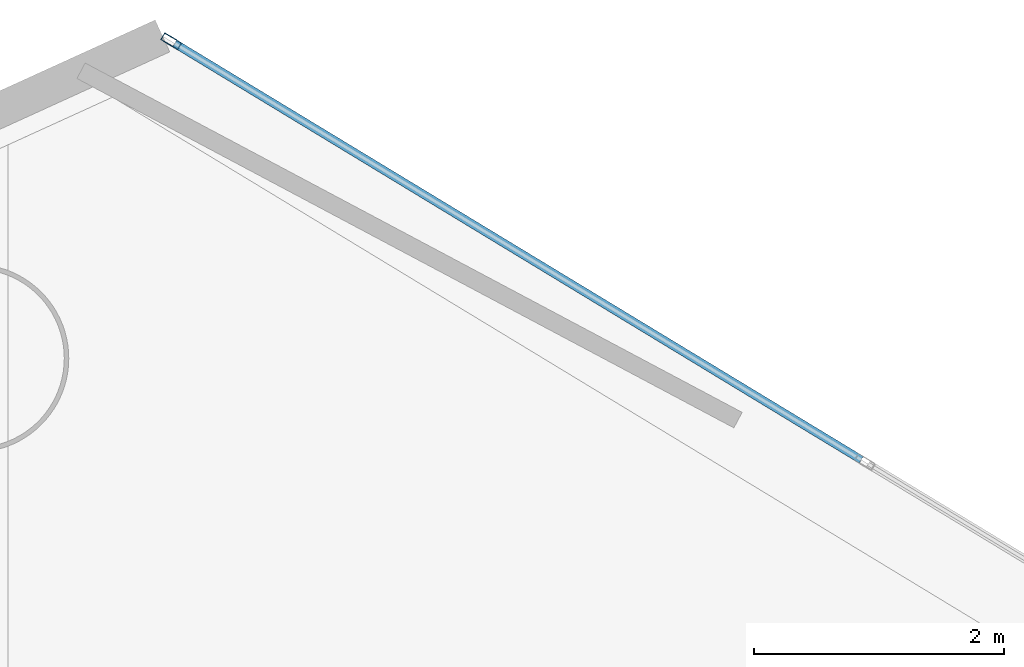
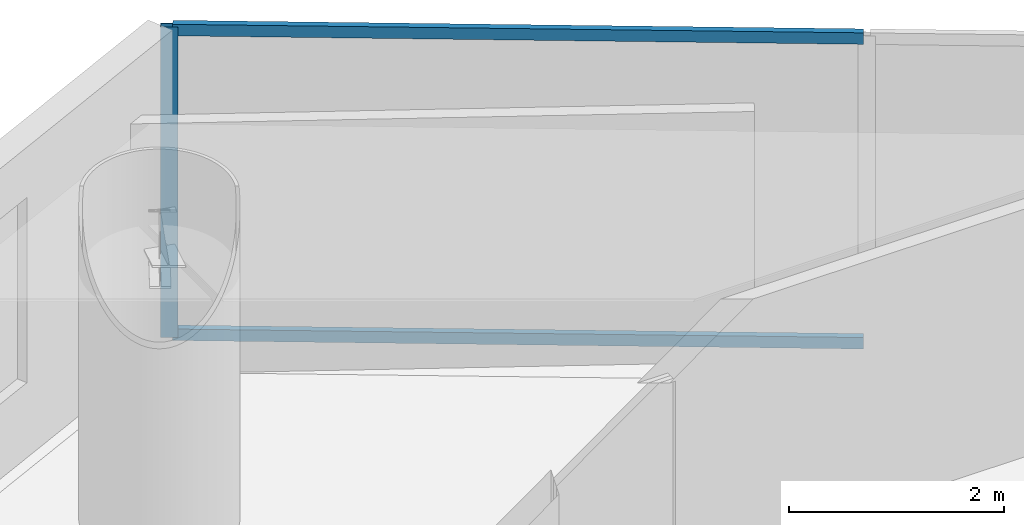
# One storey, part 12 of 18: 3 members, 1 element without a shape of its own.
"""IFC4 building model written with IfcOpenShell, lengths in metres."""

from ifc_helpers import new_model, si_unit, direction, frame, origin, origin_2d, place, context, subcontext, project, spatial, hollow_rectangle, extrude, material, layer, layer_set, material_profile, profile_set, type_object, element, aggregate, save


model = new_model("IFC4")

# Units and contexts
model_context = context("Model", 3, precision=1e-05, world=origin(), true_north=direction((0.0, 1.0)))
body_context = subcontext(model_context, "Body", "Model", "MODEL_VIEW")
ifc_project = project(units=[si_unit("LENGTHUNIT", "METRE"), si_unit("AREAUNIT", "SQUARE_METRE"), si_unit("VOLUMEUNIT", "CUBIC_METRE"), si_unit("PLANEANGLEUNIT", "RADIAN"), si_unit("MASSUNIT", "GRAM", prefix="KILO")], contexts=[model_context])

# Site, building, storey
site_placement = place(None, origin())
site = spatial("IfcSite", under=ifc_project, at=site_placement, CompositionType="ELEMENT")
building_placement = place(site_placement, origin())
building = spatial("IfcBuilding", under=site, at=building_placement, Name="Qianvela Tower", CompositionType="ELEMENT")
storey_placement = place(building_placement, frame((0.0, 0.0, 116.300048828125)))
storey = spatial("IfcBuildingStorey", under=building, at=storey_placement, Name="L29", CompositionType="ELEMENT", Elevation=116.300048828125)

# Curtain wall, members
ifc_material_1 = material(Name="Anodised Architectural Aluminium and Low-E Glass", Category="aluminium")
ifc_layer = layer(ifc_material_1, 0.169921875)
ifc_layer_set = layer_set([ifc_layer], Name="Anodised Architectural Aluminium and Low-E Glass")
curtain_wall_type = type_object("IfcCurtainWallType", Name="CW-COLIV-Z34", PredefinedType="USERDEFINED", material=ifc_layer_set)
curtain_wall_placement = place(storey_placement, origin())
curtain_wall = element("IfcCurtainWall", 1, at=curtain_wall_placement, inside=storey, type_object=curtain_wall_type, Name="L29 CW-COLIV-Z34 Curtain Wall 02C", ObjectType="CURTAIN_WALL_SYSTEM", PredefinedType="USERDEFINED")
ifc_material_2 = material(Name="Anodised Architectural Aluminium 6063-T6", Category="aluminium")
ifc_material_profile_1 = material_profile(ifc_material_2, hollow_rectangle(XDim=0.06494140625, YDim=0.159912109375, WallThickness=0.0048828125, at=origin_2d()), Name="ALU-MULL-65x160")
ifc_profile_set_1 = profile_set([ifc_material_profile_1], Name="Anodised Architectural Aluminium 6063-T6")
member_type_1 = type_object("IfcMemberType", Name="CW-COLIV-Z34-MULL", PredefinedType="MULLION", material=ifc_profile_set_1)
member_1_placement = place(storey_placement, frame((32.132568359375, 44.05419921875, 0.0), z_axis=(0.0, 0.0, 1.0), x_axis=(-0.518521156351, -0.855064798957, 0.0)))
member_1 = element("IfcMember", 2, at=member_1_placement, type_object=member_type_1, Name="CW-4 mullion 3", PredefinedType="MULLION", context=body_context, shape_type="SweptSolid", body=[
    extrude(hollow_rectangle(XDim=0.06494140625, YDim=0.159912109375, WallThickness=0.0048828125, at=origin_2d()), origin(), (0.0, 0.0, 1.0), 3.52001953125),
])
ifc_material_3 = material(Name="Anodised Architectural Aluminium 6063-T6", Category="aluminium")
ifc_material_profile_2 = material_profile(ifc_material_3, hollow_rectangle(XDim=0.06494140625, YDim=0.1298828125, WallThickness=0.00439453125, at=origin_2d()), Name="ALU-TRAN-65x130")
ifc_profile_set_2 = profile_set([ifc_material_profile_2], Name="Anodised Architectural Aluminium 6063-T6")
member_type_2 = type_object("IfcMemberType", Name="CW-COLIV-Z34-TRAN", PredefinedType="USERDEFINED", material=ifc_profile_set_2)
member_2_placement = place(storey_placement, frame((37.646484375, 40.71044921875, 0.032470703125), z_axis=(-0.855059291881, 0.51853023766, 0.0), x_axis=(-0.51853023766, -0.855059291881, 0.0)))
member_2 = element("IfcMember", 3, at=member_2_placement, type_object=member_type_2, Name="CW-4 transom 2.1", ObjectType="TRANSOM", PredefinedType="USERDEFINED", context=body_context, shape_type="SweptSolid", body=[
    extrude(hollow_rectangle(XDim=0.06494140625, YDim=0.1298828125, WallThickness=0.00439453125, at=origin_2d()), origin(), (0.0, 0.0, 1.0), 6.416015625),
])
member_3_placement = place(storey_placement, frame((37.646484375, 40.71044921875, 3.487548828125), z_axis=(-0.855059291881, 0.51853023766, 0.0), x_axis=(-0.51853023766, -0.855059291881, 0.0)))
member_3 = element("IfcMember", 4, at=member_3_placement, type_object=member_type_2, Name="CW-4 transom 2.2", ObjectType="TRANSOM", PredefinedType="USERDEFINED", context=body_context, shape_type="SweptSolid", body=[
    extrude(hollow_rectangle(XDim=0.06494140625, YDim=0.1298828125, WallThickness=0.00439453125, at=origin_2d()), origin(), (0.0, 0.0, 1.0), 6.416015625),
])
aggregate(curtain_wall, [member_1, member_2, member_3])

save(model, "model.ifc")
